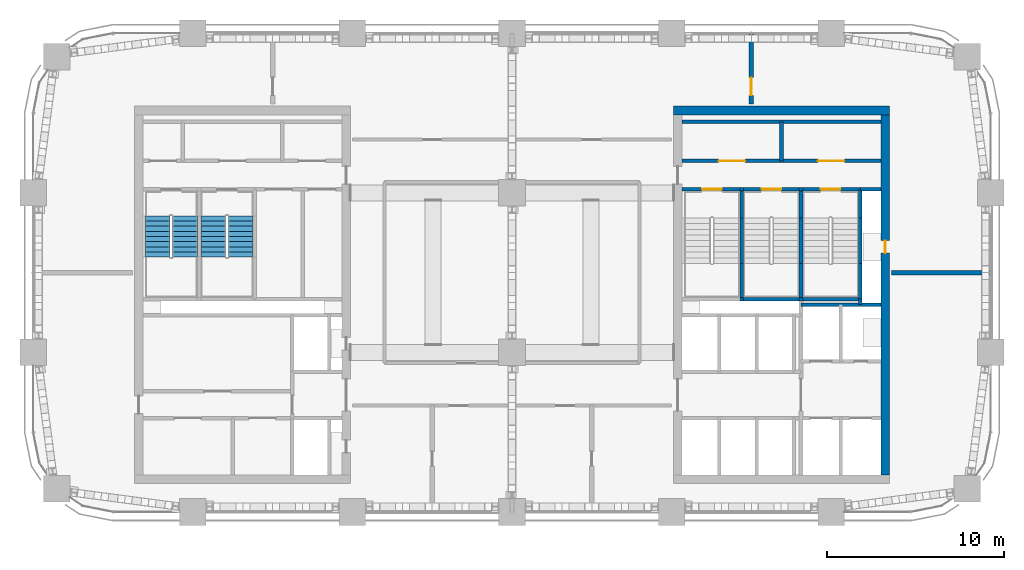
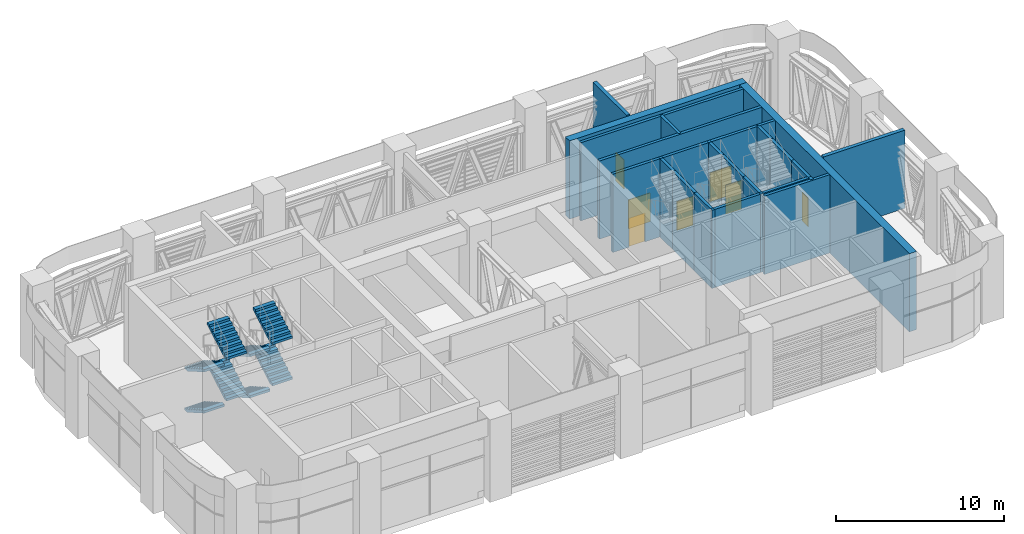
# One storey, part 14 of 19: 28 walls, 8 stair flights, 7 doors, 7 openings, 2 elements without a shape of their own.
"""IFC4 building model written with IfcOpenShell, lengths in metres."""

from ifc_helpers import new_model, si_unit, direction, frame, frame_2d, origin, place, context, subcontext, project, spatial, polyline, rectangle, outline, extrude, material, layer, layer_set, type_object, element, fill, aggregate, save


model = new_model("IFC4")

# Units and contexts
model_context = context("Model", 3, precision=1e-05, world=origin(), true_north=direction((0.0, 1.0)))
body_context = subcontext(model_context, "Body", "Model", "MODEL_VIEW")
ifc_project = project(units=[si_unit("LENGTHUNIT", "METRE"), si_unit("AREAUNIT", "SQUARE_METRE"), si_unit("VOLUMEUNIT", "CUBIC_METRE"), si_unit("PLANEANGLEUNIT", "RADIAN"), si_unit("MASSUNIT", "GRAM", prefix="KILO")], contexts=[model_context])

# Site, building, storey
site_placement = place(None, origin())
site = spatial("IfcSite", under=ifc_project, at=site_placement, CompositionType="ELEMENT")
building_placement = place(site_placement, origin())
building = spatial("IfcBuilding", under=site, at=building_placement, Name="Tessera Arch", CompositionType="ELEMENT")
storey_placement = place(building_placement, frame((0.0, 0.0, 197.300048828125)))
storey = spatial("IfcBuildingStorey", under=building, at=storey_placement, Name="L47", CompositionType="ELEMENT", Elevation=197.300048828125)

# Wall
ifc_material_1 = material(Name="Gypsum board on steel stud", Category="steel")
ifc_layer_1 = layer(ifc_material_1, 0.125)
ifc_layer_set_1 = layer_set([ifc_layer_1], Name="Core partition 125 EI 60")
wall_type_1 = type_object("IfcWallType", Name="Core partition 125 EI 60", PredefinedType="PARTITIONING", material=ifc_layer_set_1)
wall_1_placement = place(storey_placement, frame((42.199951171875, 46.800048828125, 0.0), z_axis=(0.0, 0.0, 1.0), x_axis=(0.0, 1.0, 0.0)))
element("IfcWall", 1, at=wall_1_placement, inside=storey, type_object=wall_type_1, Name="L47 C1 partition wall 8", PredefinedType="PARTITIONING", context=body_context, shape_type="SweptSolid", body=[
    extrude(rectangle(XDim=2.199951171875, YDim=0.199951171875, at=frame_2d((1.10009765625, 0.0))), origin(), (0.0, 0.0, 1.0), 5.699951171875),
])

# Wall, openings, doors
wall_2_placement = place(storey_placement, frame((36.60009765625, 46.800048828125, 0.0), z_axis=(0.0, 0.0, 1.0), x_axis=(1.0, 0.0, 0.0)))
wall_2 = element("IfcWall", 2, at=wall_2_placement, inside=storey, type_object=wall_type_1, Name="L47 C1 partition wall 38", PredefinedType="PARTITIONING", context=body_context, shape_type="SweptSolid", body=[
    extrude(rectangle(XDim=11.199951171875, YDim=0.199951171875, at=frame_2d((5.60009765625, 0.0))), origin(), (0.0, 0.0, 1.0), 5.699951171875),
])
opening_1_placement = place(wall_2_placement, frame((2.050048828125, 0.0, 0.0)))
opening_1 = element("IfcOpeningElement", 3, at=opening_1_placement, cuts=wall_2, Name="Opening L47-C12", PredefinedType="OPENING", context=body_context, shape_type="SweptSolid", body=[
    extrude(rectangle(XDim=1.5, YDim=2.10009765625, at=frame_2d((0.75, 1.050048828125))), frame((0.0, 0.10986328125, 0.0), z_axis=(0.0, -1.0, 0.0), x_axis=(1.0, 0.0, 0.0)), (0.0, 0.0, 1.0), 0.219970703125),
])
opening_2_placement = place(wall_2_placement, frame((7.64990234375, 0.0, 0.0)))
opening_2 = element("IfcOpeningElement", 4, at=opening_2_placement, cuts=wall_2, Name="Opening L47-C13", PredefinedType="OPENING", context=body_context, shape_type="SweptSolid", body=[
    extrude(rectangle(XDim=1.5, YDim=2.10009765625, at=frame_2d((0.75, 1.050048828125))), frame((0.0, 0.10986328125, 0.0), z_axis=(0.0, -1.0, 0.0), x_axis=(1.0, 0.0, 0.0)), (0.0, 0.0, 1.0), 0.219970703125),
])
ifc_material_2 = material(Name="Steel door leaf", Category="steel")
door_type_1 = type_object("IfcDoorType", Name="Plant door FD60 1500 x 2100", OperationType="DOUBLE_DOOR_SINGLE_SWING", PredefinedType="DOOR", material=ifc_material_2)
door_1_placement = place(opening_1_placement, origin())
door_1 = element("IfcDoor", 5, at=door_1_placement, inside=storey, type_object=door_type_1, Name="L47 C1 door 12 C12 type D08", OperationType="DOUBLE_DOOR_SINGLE_SWING", OverallHeight=2.10009765625, OverallWidth=1.5, PredefinedType="DOOR", context=body_context, shape_type="SweptSolid", body=[
    extrude(rectangle(XDim=1.5, YDim=2.10009765625, at=frame_2d((0.75, 1.050048828125))), frame((0.0, 0.02490234375, 0.0), z_axis=(0.0, -1.0, 0.0), x_axis=(1.0, 0.0, 0.0)), (0.0, 0.0, 1.0), 0.050048828125),
])
fill(opening_1, door_1)
door_2_placement = place(opening_2_placement, origin())
door_2 = element("IfcDoor", 6, at=door_2_placement, inside=storey, type_object=door_type_1, Name="L47 C1 door 13 C13 type D08", OperationType="DOUBLE_DOOR_SINGLE_SWING", OverallHeight=2.10009765625, OverallWidth=1.5, PredefinedType="DOOR", context=body_context, shape_type="SweptSolid", body=[
    extrude(rectangle(XDim=1.5, YDim=2.10009765625, at=frame_2d((0.75, 1.050048828125))), frame((0.0, 0.02490234375, 0.0), z_axis=(0.0, -1.0, 0.0), x_axis=(1.0, 0.0, 0.0)), (0.0, 0.0, 1.0), 0.050048828125),
])
fill(opening_2, door_2)

# Walls
wall_3_placement = place(storey_placement, frame((36.60009765625, 49.0, 0.0), z_axis=(0.0, 0.0, 1.0), x_axis=(1.0, 0.0, 0.0)))
element("IfcWall", 7, at=wall_3_placement, inside=storey, type_object=wall_type_1, Name="L47 C1 partition wall 39", PredefinedType="PARTITIONING", context=body_context, shape_type="SweptSolid", body=[
    extrude(rectangle(XDim=11.199951171875, YDim=0.199951171875, at=frame_2d((5.60009765625, 0.0))), origin(), (0.0, 0.0, 1.0), 5.699951171875),
])
ifc_material_3 = material(Name="Concrete C60/75", Category="concrete")
ifc_layer_2 = layer(ifc_material_3, 0.5)
ifc_layer_set_2 = layer_set([ifc_layer_2], Name="Core shell wall 500 C60-75")
wall_type_2 = type_object("IfcWallType", Name="Core shell wall 500 C60-75", PredefinedType="SHEAR", material=ifc_layer_set_2)
wall_4_placement = place(storey_placement, frame((36.10009765625, 49.64990234375, 0.0), z_axis=(0.0, 0.0, 1.0), x_axis=(1.0, 0.0, 0.0)))
element("IfcWall", 8, at=wall_4_placement, inside=storey, type_object=wall_type_2, Name="L47 C1 core wall N", PredefinedType="SHEAR", context=body_context, shape_type="SweptSolid", body=[
    extrude(rectangle(XDim=12.199951171875, YDim=0.5, at=frame_2d((6.10009765625, 0.0))), origin(), (0.0, 0.0, 1.0), 5.699951171875),
])

# Wall, opening, door
wall_5_placement = place(storey_placement, frame((48.050048828125, 29.10009765625, 0.0), z_axis=(0.0, 0.0, 1.0), x_axis=(0.0, 1.0, 0.0)))
wall_5 = element("IfcWall", 9, at=wall_5_placement, inside=storey, type_object=wall_type_2, Name="L47 C1 core wall E", PredefinedType="SHEAR", context=body_context, shape_type="SweptSolid", body=[
    extrude(rectangle(XDim=20.2998046875, YDim=0.5, at=frame_2d((10.14990234375, 0.0))), origin(), (0.0, 0.0, 1.0), 5.699951171875),
])
opening_3_placement = place(wall_5_placement, frame((12.5, 0.0, 0.0)))
opening_3 = element("IfcOpeningElement", 10, at=opening_3_placement, cuts=wall_5, Name="Opening L47-C08", PredefinedType="OPENING", context=body_context, shape_type="SweptSolid", body=[
    extrude(rectangle(XDim=0.699951171875, YDim=2.10009765625, at=frame_2d((0.35009765625, 1.050048828125))), frame((0.0, 0.260009765625, 0.0), z_axis=(0.0, -1.0, 0.0), x_axis=(1.0, 0.0, 0.0)), (0.0, 0.0, 1.0), 0.52001953125),
])
ifc_material_4 = material(Name="Steel door leaf", Category="steel")
door_type_2 = type_object("IfcDoorType", Name="Service shaft door FD60 700 x 2100", OperationType="SINGLE_SWING_LEFT", PredefinedType="DOOR", material=ifc_material_4)
door_3_placement = place(opening_3_placement, origin())
door_3 = element("IfcDoor", 11, at=door_3_placement, inside=storey, type_object=door_type_2, Name="L47 C1 door 8 C08 type D07", OperationType="SINGLE_SWING_RIGHT", OverallHeight=2.10009765625, OverallWidth=0.699951171875, PredefinedType="DOOR", context=body_context, shape_type="SweptSolid", body=[
    extrude(rectangle(XDim=0.699951171875, YDim=2.10009765625, at=frame_2d((0.35009765625, 1.050048828125))), frame((0.0, 0.02490234375, 0.0), z_axis=(0.0, -1.0, 0.0), x_axis=(1.0, 0.0, 0.0)), (0.0, 0.0, 1.0), 0.050048828125),
])
fill(opening_3, door_3)

# Wall
ifc_material_5 = material(Name="Double gypsum board on twin steel stud with acoustic mineral wool", Category="steel")
ifc_layer_3 = layer(ifc_material_5, 0.25)
ifc_layer_set_3 = layer_set([ifc_layer_3], Name="Party wall 250 EI 60")
wall_type_3 = type_object("IfcWallType", Name="Party wall 250 EI 60", PredefinedType="PARTITIONING", material=ifc_layer_set_3)
wall_6_placement = place(storey_placement, frame((48.39990234375, 40.5, 0.0), z_axis=(0.0, 0.0, 1.0), x_axis=(1.0, 0.0, 0.0)))
element("IfcWall", 12, at=wall_6_placement, inside=storey, type_object=wall_type_3, Name="L47 partition 8", PredefinedType="PARTITIONING", context=body_context, shape_type="SweptSolid", body=[
    extrude(rectangle(XDim=5.60009765625, YDim=0.25, at=frame_2d((2.800048828125, 0.0))), origin(), (0.0, 0.0, 1.0), 5.699951171875),
])

# Wall, opening, door
wall_7_placement = place(storey_placement, frame((40.5, 50.0, 0.0), z_axis=(0.0, 0.0, 1.0), x_axis=(0.0, 1.0, 0.0)))
wall_7 = element("IfcWall", 13, at=wall_7_placement, inside=storey, type_object=wall_type_3, Name="L47 partition 14", PredefinedType="PARTITIONING", context=body_context, shape_type="SweptSolid", body=[
    extrude(rectangle(XDim=4.0, YDim=0.25, at=frame_2d((2.0, 0.0))), origin(), (0.0, 0.0, 1.0), 5.699951171875),
])
opening_4_placement = place(wall_7_placement, frame((0.5, 0.0, 0.0)))
opening_4 = element("IfcOpeningElement", 14, at=opening_4_placement, cuts=wall_7, Name="Opening L47-D009", PredefinedType="OPENING", context=body_context, shape_type="SweptSolid", body=[
    extrude(rectangle(XDim=1.0, YDim=2.10009765625, at=frame_2d((0.5, 1.050048828125))), frame((0.0, 0.135009765625, 0.0), z_axis=(0.0, -1.0, 0.0), x_axis=(1.0, 0.0, 0.0)), (0.0, 0.0, 1.0), 0.27001953125),
])
ifc_material_6 = material(Name="Fire-rated door leaf")
door_type_3 = type_object("IfcDoorType", Name="Entrance door FD60 1000 x 2100", OperationType="SINGLE_SWING_LEFT", PredefinedType="DOOR", material=ifc_material_6)
door_4_placement = place(opening_4_placement, origin())
door_4 = element("IfcDoor", 15, at=door_4_placement, inside=storey, type_object=door_type_3, Name="L47 door D009 type D16", OperationType="SINGLE_SWING_LEFT", OverallHeight=2.10009765625, OverallWidth=1.0, PredefinedType="DOOR", context=body_context, shape_type="SweptSolid", body=[
    extrude(rectangle(XDim=1.0, YDim=2.10009765625, at=frame_2d((0.5, 1.050048828125))), frame((0.0, 0.02490234375, 0.0), z_axis=(0.0, -1.0, 0.0), x_axis=(1.0, 0.0, 0.0)), (0.0, 0.0, 1.0), 0.050048828125),
])
fill(opening_4, door_4)

# Walls
ifc_material_7 = material(Name="Concrete C40/50", Category="concrete")
ifc_layer_4 = layer(ifc_material_7, 0.199951171875)
ifc_layer_set_4 = layer_set([ifc_layer_4], Name="Shaft wall 200 EI 120")
wall_type_4 = type_object("IfcWallType", Name="Shaft wall 200 EI 120", PredefinedType="SOLIDWALL", material=ifc_layer_set_4)
wall_8_placement = place(storey_placement, frame((46.64990234375, 38.699951171875, 0.0), z_axis=(0.0, 0.0, 1.0), x_axis=(0.0, 1.0, 0.0)))
element("IfcWall", 16, at=wall_8_placement, inside=storey, type_object=wall_type_4, Name="L47 C1 shaft wall 17", PredefinedType="SOLIDWALL", context=body_context, shape_type="SweptSolid", body=[
    extrude(rectangle(XDim=0.300048828125, YDim=0.199951171875, at=frame_2d((0.14990234375, 0.0))), origin(), (0.0, 0.0, 1.0), 5.699951171875),
])
wall_9_placement = place(storey_placement, frame((43.300048828125, 38.699951171875, 0.0), z_axis=(0.0, 0.0, 1.0), x_axis=(1.0, 0.0, 0.0)))
element("IfcWall", 17, at=wall_9_placement, inside=storey, type_object=wall_type_4, Name="L47 C1 shaft wall 26", PredefinedType="SOLIDWALL", context=body_context, shape_type="SweptSolid", body=[
    extrude(rectangle(XDim=4.5, YDim=0.199951171875, at=frame_2d((2.25, 0.0))), origin(), (0.0, 0.0, 1.0), 5.699951171875),
])
wall_10_placement = place(storey_placement, frame((46.64990234375, 45.199951171875, 0.0), z_axis=(0.0, 0.0, 1.0), x_axis=(1.0, 0.0, 0.0)))
element("IfcWall", 18, at=wall_10_placement, inside=storey, type_object=wall_type_4, Name="L47 C1 shaft wall 32", PredefinedType="SOLIDWALL", context=body_context, shape_type="SweptSolid", body=[
    extrude(rectangle(XDim=1.150146484375, YDim=0.199951171875, at=frame_2d((0.5751953125, 0.0))), origin(), (0.0, 0.0, 1.0), 5.699951171875),
])
ifc_material_8 = material(Name="Concrete C40/50", Category="concrete")
ifc_layer_5 = layer(ifc_material_8, 0.199951171875)
ifc_layer_set_5 = layer_set([ifc_layer_5], Name="Stair well wall 200 REI 180")
wall_type_5 = type_object("IfcWallType", Name="Stair well wall 200 REI 180", PredefinedType="SOLIDWALL", material=ifc_layer_set_5)
wall_11_placement = place(storey_placement, frame((39.949951171875, 39.0, 0.0), z_axis=(0.0, 0.0, 1.0), x_axis=(0.0, 1.0, 0.0)))
element("IfcWall", 19, at=wall_11_placement, inside=storey, type_object=wall_type_5, Name="L47 C1 shaft wall 3", PredefinedType="SOLIDWALL", context=body_context, shape_type="SweptSolid", body=[
    extrude(rectangle(XDim=2.02001953125, YDim=0.199951171875, at=frame_2d((1.010009765625, 0.0))), origin(), (0.0, 0.0, 1.0), 5.699951171875),
])
wall_12_placement = place(storey_placement, frame((39.949951171875, 41.02001953125, 0.0), z_axis=(0.0, 0.0, 1.0), x_axis=(0.0, 1.0, 0.0)))
element("IfcWall", 20, at=wall_12_placement, inside=storey, type_object=wall_type_5, Name="L47 C1 shaft wall 4", PredefinedType="SOLIDWALL", context=body_context, shape_type="SweptSolid", body=[
    extrude(rectangle(XDim=2.56005859375, YDim=0.199951171875, at=frame_2d((1.280029296875, 0.0))), origin(), (0.0, 0.0, 1.0), 5.699951171875),
])
wall_13_placement = place(storey_placement, frame((39.949951171875, 43.580078125, 0.0), z_axis=(0.0, 0.0, 1.0), x_axis=(0.0, 1.0, 0.0)))
element("IfcWall", 21, at=wall_13_placement, inside=storey, type_object=wall_type_5, Name="L47 C1 shaft wall 5", PredefinedType="SOLIDWALL", context=body_context, shape_type="SweptSolid", body=[
    extrude(rectangle(XDim=1.619873046875, YDim=0.199951171875, at=frame_2d((0.81005859375, 0.0))), origin(), (0.0, 0.0, 1.0), 5.699951171875),
])
wall_14_placement = place(storey_placement, frame((43.300048828125, 39.0, 0.0), z_axis=(0.0, 0.0, 1.0), x_axis=(0.0, 1.0, 0.0)))
element("IfcWall", 22, at=wall_14_placement, inside=storey, type_object=wall_type_5, Name="L47 C1 shaft wall 12", PredefinedType="SOLIDWALL", context=body_context, shape_type="SweptSolid", body=[
    extrude(rectangle(XDim=2.02001953125, YDim=0.199951171875, at=frame_2d((1.010009765625, 0.0))), origin(), (0.0, 0.0, 1.0), 5.699951171875),
])
wall_15_placement = place(storey_placement, frame((43.300048828125, 41.02001953125, 0.0), z_axis=(0.0, 0.0, 1.0), x_axis=(0.0, 1.0, 0.0)))
element("IfcWall", 23, at=wall_15_placement, inside=storey, type_object=wall_type_5, Name="L47 C1 shaft wall 13", PredefinedType="SOLIDWALL", context=body_context, shape_type="SweptSolid", body=[
    extrude(rectangle(XDim=2.56005859375, YDim=0.199951171875, at=frame_2d((1.280029296875, 0.0))), origin(), (0.0, 0.0, 1.0), 5.699951171875),
])
wall_16_placement = place(storey_placement, frame((43.300048828125, 43.580078125, 0.0), z_axis=(0.0, 0.0, 1.0), x_axis=(0.0, 1.0, 0.0)))
element("IfcWall", 24, at=wall_16_placement, inside=storey, type_object=wall_type_5, Name="L47 C1 shaft wall 14", PredefinedType="SOLIDWALL", context=body_context, shape_type="SweptSolid", body=[
    extrude(rectangle(XDim=1.619873046875, YDim=0.199951171875, at=frame_2d((0.81005859375, 0.0))), origin(), (0.0, 0.0, 1.0), 5.699951171875),
])
wall_17_placement = place(storey_placement, frame((46.64990234375, 39.0, 0.0), z_axis=(0.0, 0.0, 1.0), x_axis=(0.0, 1.0, 0.0)))
element("IfcWall", 25, at=wall_17_placement, inside=storey, type_object=wall_type_5, Name="L47 C1 shaft wall 18", PredefinedType="SOLIDWALL", context=body_context, shape_type="SweptSolid", body=[
    extrude(rectangle(XDim=2.02001953125, YDim=0.199951171875, at=frame_2d((1.010009765625, 0.0))), origin(), (0.0, 0.0, 1.0), 5.699951171875),
])
wall_18_placement = place(storey_placement, frame((46.64990234375, 41.02001953125, 0.0), z_axis=(0.0, 0.0, 1.0), x_axis=(0.0, 1.0, 0.0)))
element("IfcWall", 26, at=wall_18_placement, inside=storey, type_object=wall_type_5, Name="L47 C1 shaft wall 19", PredefinedType="SOLIDWALL", context=body_context, shape_type="SweptSolid", body=[
    extrude(rectangle(XDim=2.56005859375, YDim=0.199951171875, at=frame_2d((1.280029296875, 0.0))), origin(), (0.0, 0.0, 1.0), 5.699951171875),
])
wall_19_placement = place(storey_placement, frame((46.64990234375, 43.580078125, 0.0), z_axis=(0.0, 0.0, 1.0), x_axis=(0.0, 1.0, 0.0)))
element("IfcWall", 27, at=wall_19_placement, inside=storey, type_object=wall_type_5, Name="L47 C1 shaft wall 20", PredefinedType="SOLIDWALL", context=body_context, shape_type="SweptSolid", body=[
    extrude(rectangle(XDim=1.619873046875, YDim=0.199951171875, at=frame_2d((0.81005859375, 0.0))), origin(), (0.0, 0.0, 1.0), 5.699951171875),
])
wall_20_placement = place(storey_placement, frame((39.85009765625, 39.0, 0.0), z_axis=(0.0, 0.0, 1.0), x_axis=(1.0, 0.0, 0.0)))
element("IfcWall", 28, at=wall_20_placement, inside=storey, type_object=wall_type_5, Name="L47 C1 shaft wall 28", PredefinedType="SOLIDWALL", context=body_context, shape_type="SweptSolid", body=[
    extrude(rectangle(XDim=0.199951171875, YDim=0.199951171875, at=frame_2d((0.10009765625, 0.0))), origin(), (0.0, 0.0, 1.0), 5.699951171875),
])
wall_21_placement = place(storey_placement, frame((40.050048828125, 39.0, 0.0), z_axis=(0.0, 0.0, 1.0), x_axis=(1.0, 0.0, 0.0)))
element("IfcWall", 29, at=wall_21_placement, inside=storey, type_object=wall_type_5, Name="L47 C1 shaft wall 29", PredefinedType="SOLIDWALL", context=body_context, shape_type="SweptSolid", body=[
    extrude(rectangle(XDim=3.14990234375, YDim=0.199951171875, at=frame_2d((1.574951171875, 0.0))), origin(), (0.0, 0.0, 1.0), 5.699951171875),
])
wall_22_placement = place(storey_placement, frame((43.199951171875, 39.0, 0.0), z_axis=(0.0, 0.0, 1.0), x_axis=(1.0, 0.0, 0.0)))
element("IfcWall", 30, at=wall_22_placement, inside=storey, type_object=wall_type_5, Name="L47 C1 shaft wall 30", PredefinedType="SOLIDWALL", context=body_context, shape_type="SweptSolid", body=[
    extrude(rectangle(XDim=0.199951171875, YDim=0.199951171875, at=frame_2d((0.10009765625, 0.0))), origin(), (0.0, 0.0, 1.0), 5.699951171875),
])
wall_23_placement = place(storey_placement, frame((43.39990234375, 39.0, 0.0), z_axis=(0.0, 0.0, 1.0), x_axis=(1.0, 0.0, 0.0)))
element("IfcWall", 31, at=wall_23_placement, inside=storey, type_object=wall_type_5, Name="L47 C1 shaft wall 31", PredefinedType="SOLIDWALL", context=body_context, shape_type="SweptSolid", body=[
    extrude(rectangle(XDim=3.25, YDim=0.199951171875, at=frame_2d((1.625, 0.0))), origin(), (0.0, 0.0, 1.0), 5.699951171875),
])

# Wall, opening, door
wall_24_placement = place(storey_placement, frame((36.60009765625, 45.199951171875, 0.0), z_axis=(0.0, 0.0, 1.0), x_axis=(1.0, 0.0, 0.0)))
wall_24 = element("IfcWall", 32, at=wall_24_placement, inside=storey, type_object=wall_type_5, Name="L47 C1 shaft wall 33", PredefinedType="SOLIDWALL", context=body_context, shape_type="SweptSolid", body=[
    extrude(rectangle(XDim=3.25, YDim=0.199951171875, at=frame_2d((1.625, 0.0))), origin(), (0.0, 0.0, 1.0), 5.699951171875),
])
opening_5_placement = place(wall_24_placement, frame((1.125, 0.0, 0.0)))
opening_5 = element("IfcOpeningElement", 33, at=opening_5_placement, cuts=wall_24, Name="Opening L47-C05", PredefinedType="OPENING", context=body_context, shape_type="SweptSolid", body=[
    extrude(rectangle(XDim=1.10009765625, YDim=2.10009765625, at=frame_2d((0.550048828125, 1.050048828125))), frame((0.0, 0.10986328125, 0.0), z_axis=(0.0, -1.0, 0.0), x_axis=(1.0, 0.0, 0.0)), (0.0, 0.0, 1.0), 0.219970703125),
])
ifc_material_9 = material(Name="Steel door leaf", Category="steel")
door_type_4 = type_object("IfcDoorType", Name="Stair door FD60 1100 x 2100", OperationType="SINGLE_SWING_LEFT", PredefinedType="DOOR", material=ifc_material_9)
door_5_placement = place(opening_5_placement, origin())
door_5 = element("IfcDoor", 34, at=door_5_placement, inside=storey, type_object=door_type_4, Name="L47 C1 door 5 C05 type D05", OperationType="SINGLE_SWING_RIGHT", OverallHeight=2.10009765625, OverallWidth=1.10009765625, PredefinedType="DOOR", context=body_context, shape_type="SweptSolid", body=[
    extrude(rectangle(XDim=1.10009765625, YDim=2.10009765625, at=frame_2d((0.550048828125, 1.050048828125))), frame((0.0, 0.02490234375, 0.0), z_axis=(0.0, -1.0, 0.0), x_axis=(1.0, 0.0, 0.0)), (0.0, 0.0, 1.0), 0.050048828125),
])
fill(opening_5, door_5)

# Wall
wall_25_placement = place(storey_placement, frame((39.85009765625, 45.199951171875, 0.0), z_axis=(0.0, 0.0, 1.0), x_axis=(1.0, 0.0, 0.0)))
element("IfcWall", 35, at=wall_25_placement, inside=storey, type_object=wall_type_5, Name="L47 C1 shaft wall 34", PredefinedType="SOLIDWALL", context=body_context, shape_type="SweptSolid", body=[
    extrude(rectangle(XDim=0.199951171875, YDim=0.199951171875, at=frame_2d((0.10009765625, 0.0))), origin(), (0.0, 0.0, 1.0), 5.699951171875),
])

# Wall, opening, door
wall_26_placement = place(storey_placement, frame((40.050048828125, 45.199951171875, 0.0), z_axis=(0.0, 0.0, 1.0), x_axis=(1.0, 0.0, 0.0)))
wall_26 = element("IfcWall", 36, at=wall_26_placement, inside=storey, type_object=wall_type_5, Name="L47 C1 shaft wall 35", PredefinedType="SOLIDWALL", context=body_context, shape_type="SweptSolid", body=[
    extrude(rectangle(XDim=3.14990234375, YDim=0.199951171875, at=frame_2d((1.574951171875, 0.0))), origin(), (0.0, 0.0, 1.0), 5.699951171875),
])
opening_6_placement = place(wall_26_placement, frame((1.02490234375, 0.0, 0.0)))
opening_6 = element("IfcOpeningElement", 37, at=opening_6_placement, cuts=wall_26, Name="Opening L47-C06", PredefinedType="OPENING", context=body_context, shape_type="SweptSolid", body=[
    extrude(rectangle(XDim=1.10009765625, YDim=2.10009765625, at=frame_2d((0.550048828125, 1.050048828125))), frame((0.0, 0.10986328125, 0.0), z_axis=(0.0, -1.0, 0.0), x_axis=(1.0, 0.0, 0.0)), (0.0, 0.0, 1.0), 0.219970703125),
])
door_6_placement = place(opening_6_placement, origin())
door_6 = element("IfcDoor", 38, at=door_6_placement, inside=storey, type_object=door_type_4, Name="L47 C1 door 6 C06 type D05", OperationType="SINGLE_SWING_LEFT", OverallHeight=2.10009765625, OverallWidth=1.10009765625, PredefinedType="DOOR", context=body_context, shape_type="SweptSolid", body=[
    extrude(rectangle(XDim=1.10009765625, YDim=2.10009765625, at=frame_2d((0.550048828125, 1.050048828125))), frame((0.0, 0.02490234375, 0.0), z_axis=(0.0, -1.0, 0.0), x_axis=(1.0, 0.0, 0.0)), (0.0, 0.0, 1.0), 0.050048828125),
])
fill(opening_6, door_6)

# Wall
wall_27_placement = place(storey_placement, frame((43.199951171875, 45.199951171875, 0.0), z_axis=(0.0, 0.0, 1.0), x_axis=(1.0, 0.0, 0.0)))
element("IfcWall", 39, at=wall_27_placement, inside=storey, type_object=wall_type_5, Name="L47 C1 shaft wall 36", PredefinedType="SOLIDWALL", context=body_context, shape_type="SweptSolid", body=[
    extrude(rectangle(XDim=0.199951171875, YDim=0.199951171875, at=frame_2d((0.10009765625, 0.0))), origin(), (0.0, 0.0, 1.0), 5.699951171875),
])

# Wall, opening, door
wall_28_placement = place(storey_placement, frame((43.39990234375, 45.199951171875, 0.0), z_axis=(0.0, 0.0, 1.0), x_axis=(1.0, 0.0, 0.0)))
wall_28 = element("IfcWall", 40, at=wall_28_placement, inside=storey, type_object=wall_type_5, Name="L47 C1 shaft wall 37", PredefinedType="SOLIDWALL", context=body_context, shape_type="SweptSolid", body=[
    extrude(rectangle(XDim=3.25, YDim=0.199951171875, at=frame_2d((1.625, 0.0))), origin(), (0.0, 0.0, 1.0), 5.699951171875),
])
opening_7_placement = place(wall_28_placement, frame((1.02490234375, 0.0, 0.0)))
opening_7 = element("IfcOpeningElement", 41, at=opening_7_placement, cuts=wall_28, Name="Opening L47-C07", PredefinedType="OPENING", context=body_context, shape_type="SweptSolid", body=[
    extrude(rectangle(XDim=1.10009765625, YDim=2.10009765625, at=frame_2d((0.550048828125, 1.050048828125))), frame((0.0, 0.10986328125, 0.0), z_axis=(0.0, -1.0, 0.0), x_axis=(1.0, 0.0, 0.0)), (0.0, 0.0, 1.0), 0.219970703125),
])
door_7_placement = place(opening_7_placement, origin())
door_7 = element("IfcDoor", 42, at=door_7_placement, inside=storey, type_object=door_type_4, Name="L47 C1 door 7 C07 type D05", OperationType="SINGLE_SWING_LEFT", OverallHeight=2.10009765625, OverallWidth=1.10009765625, PredefinedType="DOOR", context=body_context, shape_type="SweptSolid", body=[
    extrude(rectangle(XDim=1.10009765625, YDim=2.10009765625, at=frame_2d((0.550048828125, 1.050048828125))), frame((0.0, 0.02490234375, 0.0), z_axis=(0.0, -1.0, 0.0), x_axis=(1.0, 0.0, 0.0)), (0.0, 0.0, 1.0), 0.050048828125),
])
fill(opening_7, door_7)

# Stair, stair flights
ifc_material_10 = material(Name="Concrete C40/50", Category="concrete")
stair_type = type_object("IfcStairType", Name="Dogleg stair 1400", PredefinedType="HALF_TURN_STAIR", material=ifc_material_10)
stair_1_placement = place(storey_placement, origin())
stair_1 = element("IfcStair", 43, at=stair_1_placement, inside=storey, type_object=stair_type, Name="L47 S2a", PredefinedType="HALF_TURN_STAIR")
ifc_material_11 = material(Name="Concrete C40/50", Category="concrete")
stair_flight_type = type_object("IfcStairFlightType", Name="Stair flight 1400", PredefinedType="STRAIGHT", material=ifc_material_11)
stair_flight_1_placement = place(storey_placement, frame((7.0, 43.699951171875, 0.0), z_axis=(0.0, 0.0, 1.0), x_axis=(0.0, -1.0, 0.0)))
stair_flight_1 = element("IfcStairFlight", 44, at=stair_flight_1_placement, type_object=stair_flight_type, Name="S2a flight 1", NumberOfRisers=9, NumberOfTreads=8, PredefinedType="STRAIGHT", RiserHeight=0.166666667, TreadLength=0.29, context=body_context, shape_type="SweptSolid", body=[
    extrude(outline(polyline([(0.0, 0.0), (0.0, 0.166748046875), (0.2900390625, 0.166748046875), (0.2900390625, 0.333251953125), (0.580078125, 0.333251953125), (0.580078125, 0.5), (0.8701171875, 0.5), (0.8701171875, 0.666748046875), (1.159912109375, 0.666748046875), (1.159912109375, 0.833251953125), (1.449951171875, 0.833251953125), (1.449951171875, 1.0), (1.739990234375, 1.0), (1.739990234375, 1.166748046875), (2.030029296875, 1.166748046875), (2.030029296875, 1.333251953125), (2.320068359375, 1.333251953125), (2.320068359375, 1.5), (2.320068359375, 1.160400390625), (0.30078125, 0.0), (0.0, 0.0)])), frame((0.0, 0.699951171875, 0.0), z_axis=(0.0, -1.0, 0.0), x_axis=(1.0, 0.0, 0.0)), (0.0, 0.0, 1.0), 1.39990234375),
])
stair_flight_2_placement = place(storey_placement, frame((8.550048828125, 41.3798828125, 1.5), z_axis=(0.0, 0.0, 1.0), x_axis=(0.0, 1.0, 0.0)))
stair_flight_2 = element("IfcStairFlight", 45, at=stair_flight_2_placement, type_object=stair_flight_type, Name="S2a flight 2", NumberOfRisers=9, NumberOfTreads=8, PredefinedType="STRAIGHT", RiserHeight=0.166666667, TreadLength=0.29, context=body_context, shape_type="SweptSolid", body=[
    extrude(outline(polyline([(0.0, 0.0), (0.0, 0.166748046875), (0.2900390625, 0.166748046875), (0.2900390625, 0.333251953125), (0.580078125, 0.333251953125), (0.580078125, 0.5), (0.8701171875, 0.5), (0.8701171875, 0.666748046875), (1.159912109375, 0.666748046875), (1.159912109375, 0.833251953125), (1.449951171875, 0.833251953125), (1.449951171875, 1.0), (1.739990234375, 1.0), (1.739990234375, 1.166748046875), (2.030029296875, 1.166748046875), (2.030029296875, 1.333251953125), (2.320068359375, 1.333251953125), (2.320068359375, 1.5), (2.320068359375, 1.160400390625), (0.30078125, 0.0), (0.0, 0.0)])), frame((0.0, 0.699951171875, 0.0), z_axis=(0.0, -1.0, 0.0), x_axis=(1.0, 0.0, 0.0)), (0.0, 0.0, 1.0), 1.39990234375),
])
stair_flight_3_placement = place(storey_placement, frame((7.0, 43.699951171875, 3.0), z_axis=(0.0, 0.0, 1.0), x_axis=(0.0, -1.0, 0.0)))
stair_flight_3 = element("IfcStairFlight", 46, at=stair_flight_3_placement, type_object=stair_flight_type, Name="S2a flight 3", NumberOfRisers=9, NumberOfTreads=8, PredefinedType="STRAIGHT", RiserHeight=0.166666667, TreadLength=0.29, context=body_context, shape_type="SweptSolid", body=[
    extrude(outline(polyline([(0.0, 0.0), (0.0, 0.166748046875), (0.2900390625, 0.166748046875), (0.2900390625, 0.333251953125), (0.580078125, 0.333251953125), (0.580078125, 0.5), (0.8701171875, 0.5), (0.8701171875, 0.666748046875), (1.159912109375, 0.666748046875), (1.159912109375, 0.833251953125), (1.449951171875, 0.833251953125), (1.449951171875, 1.0), (1.739990234375, 1.0), (1.739990234375, 1.166748046875), (2.030029296875, 1.166748046875), (2.030029296875, 1.333251953125), (2.320068359375, 1.333251953125), (2.320068359375, 1.5), (2.320068359375, 1.160400390625), (0.30078125, 0.0), (0.0, 0.0)])), frame((0.0, 0.699951171875, 0.0), z_axis=(0.0, -1.0, 0.0), x_axis=(1.0, 0.0, 0.0)), (0.0, 0.0, 1.0), 1.39990234375),
])
stair_flight_4_placement = place(storey_placement, frame((8.550048828125, 41.3798828125, 4.5), z_axis=(0.0, 0.0, 1.0), x_axis=(0.0, 1.0, 0.0)))
stair_flight_4 = element("IfcStairFlight", 47, at=stair_flight_4_placement, type_object=stair_flight_type, Name="S2a flight 4", NumberOfRisers=9, NumberOfTreads=8, PredefinedType="STRAIGHT", RiserHeight=0.166666667, TreadLength=0.29, context=body_context, shape_type="SweptSolid", body=[
    extrude(outline(polyline([(0.0, 0.0), (0.0, 0.166748046875), (0.2900390625, 0.166748046875), (0.2900390625, 0.333251953125), (0.580078125, 0.333251953125), (0.580078125, 0.5), (0.8701171875, 0.5), (0.8701171875, 0.666748046875), (1.159912109375, 0.666748046875), (1.159912109375, 0.833251953125), (1.449951171875, 0.833251953125), (1.449951171875, 1.0), (1.739990234375, 1.0), (1.739990234375, 1.166748046875), (2.030029296875, 1.166748046875), (2.030029296875, 1.333251953125), (2.320068359375, 1.333251953125), (2.320068359375, 1.5), (2.320068359375, 1.160400390625), (0.30078125, 0.0), (0.0, 0.0)])), frame((0.0, 0.699951171875, 0.0), z_axis=(0.0, -1.0, 0.0), x_axis=(1.0, 0.0, 0.0)), (0.0, 0.0, 1.0), 1.39990234375),
])
aggregate(stair_1, [stair_flight_1, stair_flight_2, stair_flight_3, stair_flight_4])

stair_2_placement = place(storey_placement, origin())
stair_2 = element("IfcStair", 48, at=stair_2_placement, inside=storey, type_object=stair_type, Name="L47 S2b", PredefinedType="HALF_TURN_STAIR")
stair_flight_5_placement = place(storey_placement, frame((10.14990234375, 43.699951171875, 0.0), z_axis=(0.0, 0.0, 1.0), x_axis=(0.0, -1.0, 0.0)))
stair_flight_5 = element("IfcStairFlight", 49, at=stair_flight_5_placement, type_object=stair_flight_type, Name="S2b flight 1", NumberOfRisers=9, NumberOfTreads=8, PredefinedType="STRAIGHT", RiserHeight=0.166666667, TreadLength=0.29, context=body_context, shape_type="SweptSolid", body=[
    extrude(outline(polyline([(0.0, 0.0), (0.0, 0.166748046875), (0.2900390625, 0.166748046875), (0.2900390625, 0.333251953125), (0.580078125, 0.333251953125), (0.580078125, 0.5), (0.8701171875, 0.5), (0.8701171875, 0.666748046875), (1.159912109375, 0.666748046875), (1.159912109375, 0.833251953125), (1.449951171875, 0.833251953125), (1.449951171875, 1.0), (1.739990234375, 1.0), (1.739990234375, 1.166748046875), (2.030029296875, 1.166748046875), (2.030029296875, 1.333251953125), (2.320068359375, 1.333251953125), (2.320068359375, 1.5), (2.320068359375, 1.160400390625), (0.30078125, 0.0), (0.0, 0.0)])), frame((0.0, 0.699951171875, 0.0), z_axis=(0.0, -1.0, 0.0), x_axis=(1.0, 0.0, 0.0)), (0.0, 0.0, 1.0), 1.39990234375),
])
stair_flight_6_placement = place(storey_placement, frame((11.699951171875, 41.3798828125, 1.5), z_axis=(0.0, 0.0, 1.0), x_axis=(0.0, 1.0, 0.0)))
stair_flight_6 = element("IfcStairFlight", 50, at=stair_flight_6_placement, type_object=stair_flight_type, Name="S2b flight 2", NumberOfRisers=9, NumberOfTreads=8, PredefinedType="STRAIGHT", RiserHeight=0.166666667, TreadLength=0.29, context=body_context, shape_type="SweptSolid", body=[
    extrude(outline(polyline([(0.0, 0.0), (0.0, 0.166748046875), (0.2900390625, 0.166748046875), (0.2900390625, 0.333251953125), (0.580078125, 0.333251953125), (0.580078125, 0.5), (0.8701171875, 0.5), (0.8701171875, 0.666748046875), (1.159912109375, 0.666748046875), (1.159912109375, 0.833251953125), (1.449951171875, 0.833251953125), (1.449951171875, 1.0), (1.739990234375, 1.0), (1.739990234375, 1.166748046875), (2.030029296875, 1.166748046875), (2.030029296875, 1.333251953125), (2.320068359375, 1.333251953125), (2.320068359375, 1.5), (2.320068359375, 1.160400390625), (0.30078125, 0.0), (0.0, 0.0)])), frame((0.0, 0.699951171875, 0.0), z_axis=(0.0, -1.0, 0.0), x_axis=(1.0, 0.0, 0.0)), (0.0, 0.0, 1.0), 1.39990234375),
])
stair_flight_7_placement = place(storey_placement, frame((10.14990234375, 43.699951171875, 3.0), z_axis=(0.0, 0.0, 1.0), x_axis=(0.0, -1.0, 0.0)))
stair_flight_7 = element("IfcStairFlight", 51, at=stair_flight_7_placement, type_object=stair_flight_type, Name="S2b flight 3", NumberOfRisers=9, NumberOfTreads=8, PredefinedType="STRAIGHT", RiserHeight=0.166666667, TreadLength=0.29, context=body_context, shape_type="SweptSolid", body=[
    extrude(outline(polyline([(0.0, 0.0), (0.0, 0.166748046875), (0.2900390625, 0.166748046875), (0.2900390625, 0.333251953125), (0.580078125, 0.333251953125), (0.580078125, 0.5), (0.8701171875, 0.5), (0.8701171875, 0.666748046875), (1.159912109375, 0.666748046875), (1.159912109375, 0.833251953125), (1.449951171875, 0.833251953125), (1.449951171875, 1.0), (1.739990234375, 1.0), (1.739990234375, 1.166748046875), (2.030029296875, 1.166748046875), (2.030029296875, 1.333251953125), (2.320068359375, 1.333251953125), (2.320068359375, 1.5), (2.320068359375, 1.160400390625), (0.30078125, 0.0), (0.0, 0.0)])), frame((0.0, 0.699951171875, 0.0), z_axis=(0.0, -1.0, 0.0), x_axis=(1.0, 0.0, 0.0)), (0.0, 0.0, 1.0), 1.39990234375),
])
stair_flight_8_placement = place(storey_placement, frame((11.699951171875, 41.3798828125, 4.5), z_axis=(0.0, 0.0, 1.0), x_axis=(0.0, 1.0, 0.0)))
stair_flight_8 = element("IfcStairFlight", 52, at=stair_flight_8_placement, type_object=stair_flight_type, Name="S2b flight 4", NumberOfRisers=9, NumberOfTreads=8, PredefinedType="STRAIGHT", RiserHeight=0.166666667, TreadLength=0.29, context=body_context, shape_type="SweptSolid", body=[
    extrude(outline(polyline([(0.0, 0.0), (0.0, 0.166748046875), (0.2900390625, 0.166748046875), (0.2900390625, 0.333251953125), (0.580078125, 0.333251953125), (0.580078125, 0.5), (0.8701171875, 0.5), (0.8701171875, 0.666748046875), (1.159912109375, 0.666748046875), (1.159912109375, 0.833251953125), (1.449951171875, 0.833251953125), (1.449951171875, 1.0), (1.739990234375, 1.0), (1.739990234375, 1.166748046875), (2.030029296875, 1.166748046875), (2.030029296875, 1.333251953125), (2.320068359375, 1.333251953125), (2.320068359375, 1.5), (2.320068359375, 1.160400390625), (0.30078125, 0.0), (0.0, 0.0)])), frame((0.0, 0.699951171875, 0.0), z_axis=(0.0, -1.0, 0.0), x_axis=(1.0, 0.0, 0.0)), (0.0, 0.0, 1.0), 1.39990234375),
])
aggregate(stair_2, [stair_flight_5, stair_flight_6, stair_flight_7, stair_flight_8])

save(model, "model.ifc")
